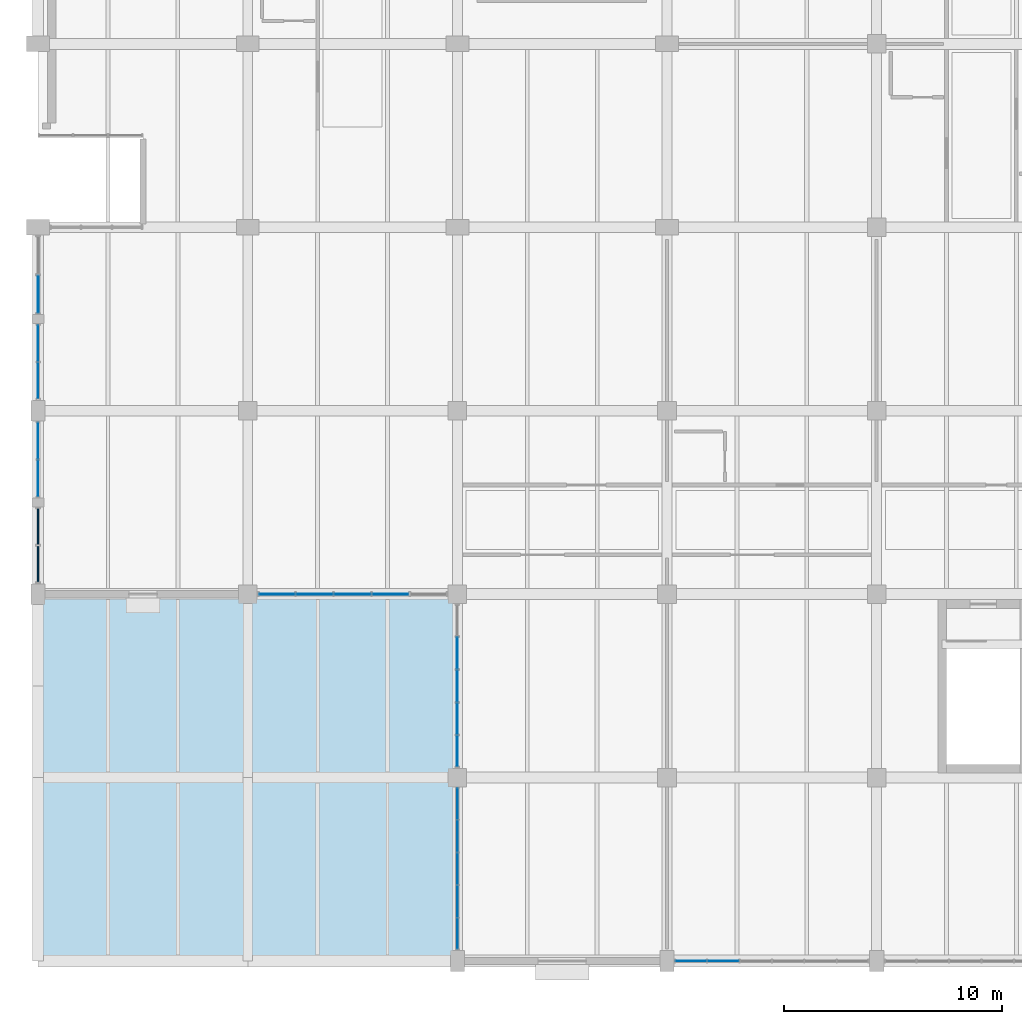
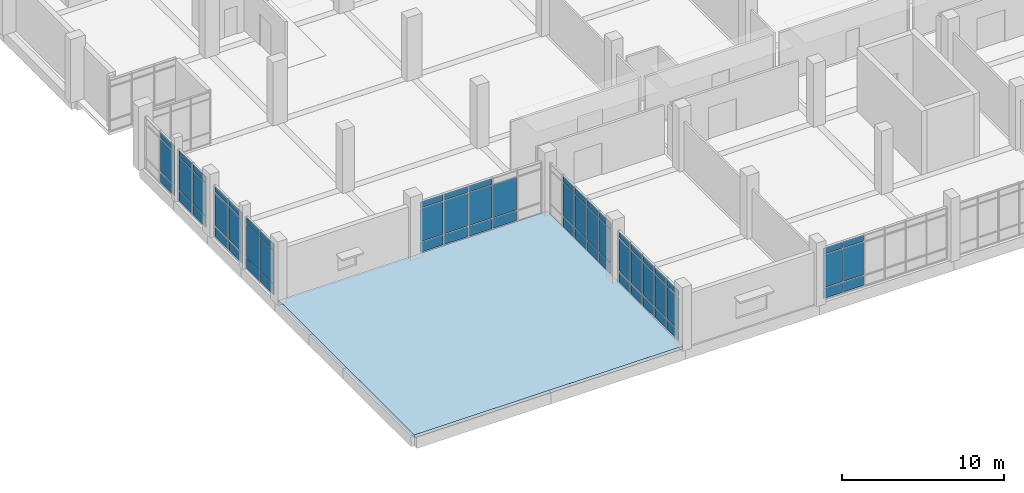
# One storey, part 85 of 152: 65 plates, 1 slab, 9 elements without a shape of their own.
"""IFC4 building model written with IfcOpenShell, lengths in metres."""

from ifc_helpers import new_model, si_unit, direction, frame, origin, origin_2d, place, context, subcontext, project, spatial, polyline, rectangle, outline, extrude, material, layer, layer_set, type_object, element, aggregate, save


model = new_model("IFC4")

# Units and contexts
model_context = context("Model", 3, precision=1e-05, world=origin(), true_north=direction((0.0, 1.0)))
body_context = subcontext(model_context, "Body", "Model", "MODEL_VIEW")
ifc_project = project(units=[si_unit("LENGTHUNIT", "METRE"), si_unit("AREAUNIT", "SQUARE_METRE"), si_unit("VOLUMEUNIT", "CUBIC_METRE"), si_unit("PLANEANGLEUNIT", "RADIAN"), si_unit("MASSUNIT", "GRAM", prefix="KILO")], contexts=[model_context])

# Site, building, storey
site_placement = place(None, origin())
site = spatial("IfcSite", under=ifc_project, at=site_placement, CompositionType="ELEMENT")
building_placement = place(site_placement, origin())
building = spatial("IfcBuilding", under=site, at=building_placement, Name="Oolite Switchyard Hospital", CompositionType="ELEMENT")
storey_placement = place(building_placement, frame((0.0, 0.0, 5.10009765625)))
storey = spatial("IfcBuildingStorey", under=building, at=storey_placement, Name="L01", CompositionType="ELEMENT", Elevation=5.10009765625)

# Curtain wall, plates
ifc_material_1 = material(Name="Thermally broken aluminum frame with laminated impact glazing", Category="aluminium")
curtain_wall_type_1 = type_object("IfcCurtainWallType", Name="CW-UNIT-84X48", PredefinedType="USERDEFINED", material=ifc_material_1)
curtain_wall_1_placement = place(storey_placement, origin())
curtain_wall_1 = element("IfcCurtainWall", 1, at=curtain_wall_1_placement, inside=storey, type_object=curtain_wall_type_1, Name="L01 Unitised Curtain Wall 160", ObjectType="UNITISED", PredefinedType="USERDEFINED")
ifc_material_2 = material(Name="Insulated fluoropolymer-coated aluminum spandrel panel", Category="aluminium")
ifc_layer_1 = layer(ifc_material_2, 0.070068359375)
ifc_layer_set_1 = layer_set([ifc_layer_1], Name="CW-PNL-SPN70")
plate_type_1 = type_object("IfcPlateType", Name="CW-PNL-SPN70", PredefinedType="CURTAIN_PANEL", material=ifc_layer_set_1)
plate_1_placement = place(storey_placement, frame((0.0, 18.1826171875, 0.06005859375), z_axis=(0.0, 0.0, 1.0), x_axis=(0.0, 1.0, 0.0)))
plate_1 = element("IfcPlate", 2, at=plate_1_placement, type_object=plate_type_1, Name="CW-07 panel 1.1", PredefinedType="CURTAIN_PANEL", context=body_context, shape_type="SweptSolid", body=[
    extrude(rectangle(XDim=1.635009765625, YDim=0.070068359375, at=origin_2d()), origin(), (0.0, 0.0, 1.0), 0.760009765625),
])
plate_2_placement = place(storey_placement, frame((0.0, 18.1826171875, 0.8798828125), z_axis=(0.0, 0.0, 1.0), x_axis=(0.0, 1.0, 0.0)))
plate_2 = element("IfcPlate", 3, at=plate_2_placement, type_object=plate_type_1, Name="CW-07 panel 1.2", PredefinedType="CURTAIN_PANEL", context=body_context, shape_type="SweptSolid", body=[
    extrude(rectangle(XDim=1.635009765625, YDim=0.070068359375, at=origin_2d()), origin(), (0.0, 0.0, 1.0), 2.47998046875),
])
plate_3_placement = place(storey_placement, frame((0.0, 18.1826171875, 3.419921875), z_axis=(0.0, 0.0, 1.0), x_axis=(0.0, 1.0, 0.0)))
plate_3 = element("IfcPlate", 4, at=plate_3_placement, type_object=plate_type_1, Name="CW-07 panel 1.3", PredefinedType="CURTAIN_PANEL", context=body_context, shape_type="SweptSolid", body=[
    extrude(rectangle(XDim=1.635009765625, YDim=0.070068359375, at=origin_2d()), origin(), (0.0, 0.0, 1.0), 0.4599609375),
])
plate_4_placement = place(storey_placement, frame((0.0, 19.892578125, 0.06005859375), z_axis=(0.0, 0.0, 1.0), x_axis=(0.0, 1.0, 0.0)))
plate_4 = element("IfcPlate", 5, at=plate_4_placement, type_object=plate_type_1, Name="CW-07 panel 2.1", PredefinedType="CURTAIN_PANEL", context=body_context, shape_type="SweptSolid", body=[
    extrude(rectangle(XDim=1.635009765625, YDim=0.070068359375, at=origin_2d()), origin(), (0.0, 0.0, 1.0), 0.760009765625),
])
plate_5_placement = place(storey_placement, frame((0.0, 19.892578125, 0.8798828125), z_axis=(0.0, 0.0, 1.0), x_axis=(0.0, 1.0, 0.0)))
plate_5 = element("IfcPlate", 6, at=plate_5_placement, type_object=plate_type_1, Name="CW-07 panel 2.2", PredefinedType="CURTAIN_PANEL", context=body_context, shape_type="SweptSolid", body=[
    extrude(rectangle(XDim=1.635009765625, YDim=0.070068359375, at=origin_2d()), origin(), (0.0, 0.0, 1.0), 2.47998046875),
])
plate_6_placement = place(storey_placement, frame((0.0, 19.892578125, 3.419921875), z_axis=(0.0, 0.0, 1.0), x_axis=(0.0, 1.0, 0.0)))
plate_6 = element("IfcPlate", 7, at=plate_6_placement, type_object=plate_type_1, Name="CW-07 panel 2.3", PredefinedType="CURTAIN_PANEL", context=body_context, shape_type="SweptSolid", body=[
    extrude(rectangle(XDim=1.635009765625, YDim=0.070068359375, at=origin_2d()), origin(), (0.0, 0.0, 1.0), 0.4599609375),
])
aggregate(curtain_wall_1, [plate_1, plate_2, plate_3, plate_4, plate_5, plate_6])

curtain_wall_type_2 = type_object("IfcCurtainWallType", Name="CW-UNIT-96X48", PredefinedType="USERDEFINED", material=ifc_material_1)
curtain_wall_2_placement = place(storey_placement, origin())
curtain_wall_2 = element("IfcCurtainWall", 8, at=curtain_wall_2_placement, inside=storey, type_object=curtain_wall_type_2, Name="L01 Unitised Curtain Wall 95", ObjectType="UNITISED", PredefinedType="USERDEFINED")
ifc_material_3 = material(Name="Laminated hurricane-impact insulated glazing unit", Category="glass")
ifc_layer_2 = layer(ifc_material_3, 0.028076171875)
ifc_layer_set_2 = layer_set([ifc_layer_2], Name="CW-PNL-VIS28")
plate_type_2 = type_object("IfcPlateType", Name="CW-PNL-VIS28", PredefinedType="CURTAIN_PANEL", material=ifc_layer_set_2)
plate_7_placement = place(storey_placement, frame((31.3701171875, 0.0, 0.07470703125), z_axis=(0.0, 0.0, 1.0), x_axis=(-1.0, 0.0, 0.0)))
plate_7 = element("IfcPlate", 9, at=plate_7_placement, type_object=plate_type_2, Name="CW-02 panel 5.1", PredefinedType="CURTAIN_PANEL", context=body_context, shape_type="SweptSolid", body=[
    extrude(rectangle(XDim=1.4267578125, YDim=0.028076171875, at=origin_2d()), origin(), (0.0, 0.0, 1.0), 0.737548828125),
])
plate_8_placement = place(storey_placement, frame((31.3701171875, 0.0, 0.88720703125), z_axis=(0.0, 0.0, 1.0), x_axis=(-1.0, 0.0, 0.0)))
plate_8 = element("IfcPlate", 10, at=plate_8_placement, type_object=plate_type_2, Name="CW-02 panel 5.2", PredefinedType="CURTAIN_PANEL", context=body_context, shape_type="SweptSolid", body=[
    extrude(rectangle(XDim=1.4267578125, YDim=0.028076171875, at=origin_2d()), origin(), (0.0, 0.0, 1.0), 2.465087890625),
])
plate_9_placement = place(storey_placement, frame((31.3701171875, 0.0, 3.427490234375), z_axis=(0.0, 0.0, 1.0), x_axis=(-1.0, 0.0, 0.0)))
plate_9 = element("IfcPlate", 11, at=plate_9_placement, type_object=plate_type_2, Name="CW-02 panel 5.3", PredefinedType="CURTAIN_PANEL", context=body_context, shape_type="SweptSolid", body=[
    extrude(rectangle(XDim=1.4267578125, YDim=0.028076171875, at=origin_2d()), origin(), (0.0, 0.0, 1.0), 0.4375),
])
plate_10_placement = place(storey_placement, frame((29.8984375, 0.0, 0.07470703125), z_axis=(0.0, 0.0, 1.0), x_axis=(-1.0, 0.0, 0.0)))
plate_10 = element("IfcPlate", 12, at=plate_10_placement, type_object=plate_type_2, Name="CW-02 panel 6.1", PredefinedType="CURTAIN_PANEL", context=body_context, shape_type="SweptSolid", body=[
    extrude(rectangle(XDim=1.396728515625, YDim=0.028076171875, at=origin_2d()), origin(), (0.0, 0.0, 1.0), 0.737548828125),
])
plate_11_placement = place(storey_placement, frame((29.8984375, 0.0, 0.88720703125), z_axis=(0.0, 0.0, 1.0), x_axis=(-1.0, 0.0, 0.0)))
plate_11 = element("IfcPlate", 13, at=plate_11_placement, type_object=plate_type_2, Name="CW-02 panel 6.2", PredefinedType="CURTAIN_PANEL", context=body_context, shape_type="SweptSolid", body=[
    extrude(rectangle(XDim=1.396728515625, YDim=0.028076171875, at=origin_2d()), origin(), (0.0, 0.0, 1.0), 2.465087890625),
])
plate_12_placement = place(storey_placement, frame((29.8984375, 0.0, 3.427490234375), z_axis=(0.0, 0.0, 1.0), x_axis=(-1.0, 0.0, 0.0)))
plate_12 = element("IfcPlate", 14, at=plate_12_placement, type_object=plate_type_2, Name="CW-02 panel 6.3", PredefinedType="CURTAIN_PANEL", context=body_context, shape_type="SweptSolid", body=[
    extrude(rectangle(XDim=1.396728515625, YDim=0.028076171875, at=origin_2d()), origin(), (0.0, 0.0, 1.0), 0.4375),
])
aggregate(curtain_wall_2, [plate_7, plate_8, plate_9, plate_10, plate_11, plate_12])

curtain_wall_3_placement = place(storey_placement, origin())
curtain_wall_3 = element("IfcCurtainWall", 15, at=curtain_wall_3_placement, inside=storey, type_object=curtain_wall_type_1, Name="L01 Unitised Curtain Wall 161", ObjectType="UNITISED", PredefinedType="USERDEFINED")
plate_13_placement = place(storey_placement, frame((0.0, 22.103759765625, 0.07470703125), z_axis=(0.0, 0.0, 1.0), x_axis=(0.0, 1.0, 0.0)))
plate_13 = element("IfcPlate", 16, at=plate_13_placement, type_object=plate_type_2, Name="CW-07 panel 1.1", PredefinedType="CURTAIN_PANEL", context=body_context, shape_type="SweptSolid", body=[
    extrude(rectangle(XDim=1.657470703125, YDim=0.028076171875, at=origin_2d()), origin(), (0.0, 0.0, 1.0), 0.737548828125),
])
plate_14_placement = place(storey_placement, frame((0.0, 22.103759765625, 0.88720703125), z_axis=(0.0, 0.0, 1.0), x_axis=(0.0, 1.0, 0.0)))
plate_14 = element("IfcPlate", 17, at=plate_14_placement, type_object=plate_type_2, Name="CW-07 panel 1.2", PredefinedType="CURTAIN_PANEL", context=body_context, shape_type="SweptSolid", body=[
    extrude(rectangle(XDim=1.657470703125, YDim=0.028076171875, at=origin_2d()), origin(), (0.0, 0.0, 1.0), 2.465087890625),
])
plate_15_placement = place(storey_placement, frame((0.0, 22.103759765625, 3.427490234375), z_axis=(0.0, 0.0, 1.0), x_axis=(0.0, 1.0, 0.0)))
plate_15 = element("IfcPlate", 18, at=plate_15_placement, type_object=plate_type_2, Name="CW-07 panel 1.3", PredefinedType="CURTAIN_PANEL", context=body_context, shape_type="SweptSolid", body=[
    extrude(rectangle(XDim=1.657470703125, YDim=0.028076171875, at=origin_2d()), origin(), (0.0, 0.0, 1.0), 0.4375),
])
plate_16_placement = place(storey_placement, frame((0.0, 23.8212890625, 0.07470703125), z_axis=(0.0, 0.0, 1.0), x_axis=(0.0, 1.0, 0.0)))
plate_16 = element("IfcPlate", 19, at=plate_16_placement, type_object=plate_type_2, Name="CW-07 panel 2.1", PredefinedType="CURTAIN_PANEL", context=body_context, shape_type="SweptSolid", body=[
    extrude(rectangle(XDim=1.657470703125, YDim=0.028076171875, at=origin_2d()), origin(), (0.0, 0.0, 1.0), 0.737548828125),
])
plate_17_placement = place(storey_placement, frame((0.0, 23.8212890625, 0.88720703125), z_axis=(0.0, 0.0, 1.0), x_axis=(0.0, 1.0, 0.0)))
plate_17 = element("IfcPlate", 20, at=plate_17_placement, type_object=plate_type_2, Name="CW-07 panel 2.2", PredefinedType="CURTAIN_PANEL", context=body_context, shape_type="SweptSolid", body=[
    extrude(rectangle(XDim=1.657470703125, YDim=0.028076171875, at=origin_2d()), origin(), (0.0, 0.0, 1.0), 2.465087890625),
])
plate_18_placement = place(storey_placement, frame((0.0, 23.8212890625, 3.427490234375), z_axis=(0.0, 0.0, 1.0), x_axis=(0.0, 1.0, 0.0)))
plate_18 = element("IfcPlate", 21, at=plate_18_placement, type_object=plate_type_2, Name="CW-07 panel 2.3", PredefinedType="CURTAIN_PANEL", context=body_context, shape_type="SweptSolid", body=[
    extrude(rectangle(XDim=1.657470703125, YDim=0.028076171875, at=origin_2d()), origin(), (0.0, 0.0, 1.0), 0.4375),
])
aggregate(curtain_wall_3, [plate_13, plate_14, plate_15, plate_16, plate_17, plate_18])

curtain_wall_4_placement = place(storey_placement, origin())
curtain_wall_4 = element("IfcCurtainWall", 22, at=curtain_wall_4_placement, inside=storey, type_object=curtain_wall_type_1, Name="L01 Unitised Curtain Wall 167", ObjectType="UNITISED", PredefinedType="USERDEFINED")
plate_19_placement = place(storey_placement, frame((19.199951171875, 1.251953125, 0.07470703125), z_axis=(0.0, 0.0, 1.0), x_axis=(0.0, 1.0, 0.0)))
plate_19 = element("IfcPlate", 23, at=plate_19_placement, type_object=plate_type_2, Name="CW-07 panel 1.1", PredefinedType="CURTAIN_PANEL", context=body_context, shape_type="SweptSolid", body=[
    extrude(rectangle(XDim=1.404052734375, YDim=0.028076171875, at=origin_2d()), origin(), (0.0, 0.0, 1.0), 0.737548828125),
])
plate_20_placement = place(storey_placement, frame((19.199951171875, 1.251953125, 0.88720703125), z_axis=(0.0, 0.0, 1.0), x_axis=(0.0, 1.0, 0.0)))
plate_20 = element("IfcPlate", 24, at=plate_20_placement, type_object=plate_type_2, Name="CW-07 panel 1.2", PredefinedType="CURTAIN_PANEL", context=body_context, shape_type="SweptSolid", body=[
    extrude(rectangle(XDim=1.404052734375, YDim=0.028076171875, at=origin_2d()), origin(), (0.0, 0.0, 1.0), 2.465087890625),
])
plate_21_placement = place(storey_placement, frame((19.199951171875, 1.251953125, 3.427490234375), z_axis=(0.0, 0.0, 1.0), x_axis=(0.0, 1.0, 0.0)))
plate_21 = element("IfcPlate", 25, at=plate_21_placement, type_object=plate_type_2, Name="CW-07 panel 1.3", PredefinedType="CURTAIN_PANEL", context=body_context, shape_type="SweptSolid", body=[
    extrude(rectangle(XDim=1.404052734375, YDim=0.028076171875, at=origin_2d()), origin(), (0.0, 0.0, 1.0), 0.4375),
])
plate_22_placement = place(storey_placement, frame((19.199951171875, 2.73095703125, 0.07470703125), z_axis=(0.0, 0.0, 1.0), x_axis=(0.0, 1.0, 0.0)))
plate_22 = element("IfcPlate", 26, at=plate_22_placement, type_object=plate_type_2, Name="CW-07 panel 2.1", PredefinedType="CURTAIN_PANEL", context=body_context, shape_type="SweptSolid", body=[
    extrude(rectangle(XDim=1.43408203125, YDim=0.028076171875, at=origin_2d()), origin(), (0.0, 0.0, 1.0), 0.737548828125),
])
plate_23_placement = place(storey_placement, frame((19.199951171875, 2.73095703125, 0.88720703125), z_axis=(0.0, 0.0, 1.0), x_axis=(0.0, 1.0, 0.0)))
plate_23 = element("IfcPlate", 27, at=plate_23_placement, type_object=plate_type_2, Name="CW-07 panel 2.2", PredefinedType="CURTAIN_PANEL", context=body_context, shape_type="SweptSolid", body=[
    extrude(rectangle(XDim=1.43408203125, YDim=0.028076171875, at=origin_2d()), origin(), (0.0, 0.0, 1.0), 2.465087890625),
])
plate_24_placement = place(storey_placement, frame((19.199951171875, 2.73095703125, 3.427490234375), z_axis=(0.0, 0.0, 1.0), x_axis=(0.0, 1.0, 0.0)))
plate_24 = element("IfcPlate", 28, at=plate_24_placement, type_object=plate_type_2, Name="CW-07 panel 2.3", PredefinedType="CURTAIN_PANEL", context=body_context, shape_type="SweptSolid", body=[
    extrude(rectangle(XDim=1.43408203125, YDim=0.028076171875, at=origin_2d()), origin(), (0.0, 0.0, 1.0), 0.4375),
])
plate_25_placement = place(storey_placement, frame((19.199951171875, 4.22509765625, 0.07470703125), z_axis=(0.0, 0.0, 1.0), x_axis=(0.0, 1.0, 0.0)))
plate_25 = element("IfcPlate", 29, at=plate_25_placement, type_object=plate_type_2, Name="CW-07 panel 3.1", PredefinedType="CURTAIN_PANEL", context=body_context, shape_type="SweptSolid", body=[
    extrude(rectangle(XDim=1.43408203125, YDim=0.028076171875, at=origin_2d()), origin(), (0.0, 0.0, 1.0), 0.737548828125),
])
plate_26_placement = place(storey_placement, frame((19.199951171875, 4.22509765625, 0.88720703125), z_axis=(0.0, 0.0, 1.0), x_axis=(0.0, 1.0, 0.0)))
plate_26 = element("IfcPlate", 30, at=plate_26_placement, type_object=plate_type_2, Name="CW-07 panel 3.2", PredefinedType="CURTAIN_PANEL", context=body_context, shape_type="SweptSolid", body=[
    extrude(rectangle(XDim=1.43408203125, YDim=0.028076171875, at=origin_2d()), origin(), (0.0, 0.0, 1.0), 2.465087890625),
])
plate_27_placement = place(storey_placement, frame((19.199951171875, 4.22509765625, 3.427490234375), z_axis=(0.0, 0.0, 1.0), x_axis=(0.0, 1.0, 0.0)))
plate_27 = element("IfcPlate", 31, at=plate_27_placement, type_object=plate_type_2, Name="CW-07 panel 3.3", PredefinedType="CURTAIN_PANEL", context=body_context, shape_type="SweptSolid", body=[
    extrude(rectangle(XDim=1.43408203125, YDim=0.028076171875, at=origin_2d()), origin(), (0.0, 0.0, 1.0), 0.4375),
])
plate_28_placement = place(storey_placement, frame((19.199951171875, 5.718994140625, 0.07470703125), z_axis=(0.0, 0.0, 1.0), x_axis=(0.0, 1.0, 0.0)))
plate_28 = element("IfcPlate", 32, at=plate_28_placement, type_object=plate_type_2, Name="CW-07 panel 4.1", PredefinedType="CURTAIN_PANEL", context=body_context, shape_type="SweptSolid", body=[
    extrude(rectangle(XDim=1.43408203125, YDim=0.028076171875, at=origin_2d()), origin(), (0.0, 0.0, 1.0), 0.737548828125),
])
plate_29_placement = place(storey_placement, frame((19.199951171875, 5.718994140625, 0.88720703125), z_axis=(0.0, 0.0, 1.0), x_axis=(0.0, 1.0, 0.0)))
plate_29 = element("IfcPlate", 33, at=plate_29_placement, type_object=plate_type_2, Name="CW-07 panel 4.2", PredefinedType="CURTAIN_PANEL", context=body_context, shape_type="SweptSolid", body=[
    extrude(rectangle(XDim=1.43408203125, YDim=0.028076171875, at=origin_2d()), origin(), (0.0, 0.0, 1.0), 2.465087890625),
])
plate_30_placement = place(storey_placement, frame((19.199951171875, 5.718994140625, 3.427490234375), z_axis=(0.0, 0.0, 1.0), x_axis=(0.0, 1.0, 0.0)))
plate_30 = element("IfcPlate", 34, at=plate_30_placement, type_object=plate_type_2, Name="CW-07 panel 4.3", PredefinedType="CURTAIN_PANEL", context=body_context, shape_type="SweptSolid", body=[
    extrude(rectangle(XDim=1.43408203125, YDim=0.028076171875, at=origin_2d()), origin(), (0.0, 0.0, 1.0), 0.4375),
])
plate_31_placement = place(storey_placement, frame((19.199951171875, 7.197998046875, 0.07470703125), z_axis=(0.0, 0.0, 1.0), x_axis=(0.0, 1.0, 0.0)))
plate_31 = element("IfcPlate", 35, at=plate_31_placement, type_object=plate_type_2, Name="CW-07 panel 5.1", PredefinedType="CURTAIN_PANEL", context=body_context, shape_type="SweptSolid", body=[
    extrude(rectangle(XDim=1.404052734375, YDim=0.028076171875, at=origin_2d()), origin(), (0.0, 0.0, 1.0), 0.737548828125),
])
plate_32_placement = place(storey_placement, frame((19.199951171875, 7.197998046875, 0.88720703125), z_axis=(0.0, 0.0, 1.0), x_axis=(0.0, 1.0, 0.0)))
plate_32 = element("IfcPlate", 36, at=plate_32_placement, type_object=plate_type_2, Name="CW-07 panel 5.2", PredefinedType="CURTAIN_PANEL", context=body_context, shape_type="SweptSolid", body=[
    extrude(rectangle(XDim=1.404052734375, YDim=0.028076171875, at=origin_2d()), origin(), (0.0, 0.0, 1.0), 2.465087890625),
])
plate_33_placement = place(storey_placement, frame((19.199951171875, 7.197998046875, 3.427490234375), z_axis=(0.0, 0.0, 1.0), x_axis=(0.0, 1.0, 0.0)))
plate_33 = element("IfcPlate", 37, at=plate_33_placement, type_object=plate_type_2, Name="CW-07 panel 5.3", PredefinedType="CURTAIN_PANEL", context=body_context, shape_type="SweptSolid", body=[
    extrude(rectangle(XDim=1.404052734375, YDim=0.028076171875, at=origin_2d()), origin(), (0.0, 0.0, 1.0), 0.4375),
])
aggregate(curtain_wall_4, [plate_19, plate_20, plate_21, plate_22, plate_23, plate_24, plate_25, plate_26, plate_27, plate_28, plate_29, plate_30, plate_31, plate_32, plate_33])

curtain_wall_5_placement = place(storey_placement, origin())
curtain_wall_5 = element("IfcCurtainWall", 38, at=curtain_wall_5_placement, inside=storey, type_object=curtain_wall_type_1, Name="L01 Unitised Curtain Wall 162", ObjectType="UNITISED", PredefinedType="USERDEFINED")
ifc_layer_3 = layer(ifc_material_3, 0.031982421875)
ifc_layer_set_3 = layer_set([ifc_layer_3], Name="CW-PNL-VIS32")
plate_type_3 = type_object("IfcPlateType", Name="CW-PNL-VIS32", PredefinedType="CURTAIN_PANEL", material=ifc_layer_set_3)
plate_34_placement = place(storey_placement, frame((0.0, 26.581298828125, 0.06005859375), z_axis=(0.0, 0.0, 1.0), x_axis=(0.0, 1.0, 0.0)))
plate_34 = element("IfcPlate", 39, at=plate_34_placement, type_object=plate_type_3, Name="CW-07 panel 1.1", PredefinedType="CURTAIN_PANEL", context=body_context, shape_type="SweptSolid", body=[
    extrude(rectangle(XDim=1.642578125, YDim=0.031982421875, at=origin_2d()), origin(), (0.0, 0.0, 1.0), 0.760009765625),
])
plate_35_placement = place(storey_placement, frame((0.0, 26.581298828125, 0.8798828125), z_axis=(0.0, 0.0, 1.0), x_axis=(0.0, 1.0, 0.0)))
plate_35 = element("IfcPlate", 40, at=plate_35_placement, type_object=plate_type_3, Name="CW-07 panel 1.2", PredefinedType="CURTAIN_PANEL", context=body_context, shape_type="SweptSolid", body=[
    extrude(rectangle(XDim=1.642578125, YDim=0.031982421875, at=origin_2d()), origin(), (0.0, 0.0, 1.0), 2.47998046875),
])
plate_36_placement = place(storey_placement, frame((0.0, 26.581298828125, 3.419921875), z_axis=(0.0, 0.0, 1.0), x_axis=(0.0, 1.0, 0.0)))
plate_36 = element("IfcPlate", 41, at=plate_36_placement, type_object=plate_type_3, Name="CW-07 panel 1.3", PredefinedType="CURTAIN_PANEL", context=body_context, shape_type="SweptSolid", body=[
    extrude(rectangle(XDim=1.642578125, YDim=0.031982421875, at=origin_2d()), origin(), (0.0, 0.0, 1.0), 0.4599609375),
])
plate_37_placement = place(storey_placement, frame((0.0, 28.293701171875, 0.06005859375), z_axis=(0.0, 0.0, 1.0), x_axis=(0.0, 1.0, 0.0)))
plate_37 = element("IfcPlate", 42, at=plate_37_placement, type_object=plate_type_3, Name="CW-07 panel 2.1", PredefinedType="CURTAIN_PANEL", context=body_context, shape_type="SweptSolid", body=[
    extrude(rectangle(XDim=1.642578125, YDim=0.031982421875, at=origin_2d()), origin(), (0.0, 0.0, 1.0), 0.760009765625),
])
plate_38_placement = place(storey_placement, frame((0.0, 28.293701171875, 0.8798828125), z_axis=(0.0, 0.0, 1.0), x_axis=(0.0, 1.0, 0.0)))
plate_38 = element("IfcPlate", 43, at=plate_38_placement, type_object=plate_type_3, Name="CW-07 panel 2.2", PredefinedType="CURTAIN_PANEL", context=body_context, shape_type="SweptSolid", body=[
    extrude(rectangle(XDim=1.642578125, YDim=0.031982421875, at=origin_2d()), origin(), (0.0, 0.0, 1.0), 2.47998046875),
])
plate_39_placement = place(storey_placement, frame((0.0, 28.293701171875, 3.419921875), z_axis=(0.0, 0.0, 1.0), x_axis=(0.0, 1.0, 0.0)))
plate_39 = element("IfcPlate", 44, at=plate_39_placement, type_object=plate_type_3, Name="CW-07 panel 2.3", PredefinedType="CURTAIN_PANEL", context=body_context, shape_type="SweptSolid", body=[
    extrude(rectangle(XDim=1.642578125, YDim=0.031982421875, at=origin_2d()), origin(), (0.0, 0.0, 1.0), 0.4599609375),
])
aggregate(curtain_wall_5, [plate_34, plate_35, plate_36, plate_37, plate_38, plate_39])

curtain_wall_6_placement = place(storey_placement, origin())
curtain_wall_6 = element("IfcCurtainWall", 45, at=curtain_wall_6_placement, inside=storey, type_object=curtain_wall_type_2, Name="L01 Unitised Curtain Wall 103", ObjectType="UNITISED", PredefinedType="USERDEFINED")
ifc_layer_4 = layer(ifc_material_3, 0.035888671875)
ifc_layer_set_4 = layer_set([ifc_layer_4], Name="CW-PNL-VIS36")
plate_type_4 = type_object("IfcPlateType", Name="CW-PNL-VIS36", PredefinedType="CURTAIN_PANEL", material=ifc_layer_set_4)
plate_40_placement = place(storey_placement, frame((16.14404296875, 16.800048828125, 0.07470703125), z_axis=(0.0, 0.0, 1.0), x_axis=(-1.0, 0.0, 0.0)))
plate_40 = element("IfcPlate", 46, at=plate_40_placement, type_object=plate_type_4, Name="CW-02 panel 2.1", PredefinedType="CURTAIN_PANEL", context=body_context, shape_type="SweptSolid", body=[
    extrude(rectangle(XDim=1.6689453125, YDim=0.035888671875, at=origin_2d()), origin(), (0.0, 0.0, 1.0), 0.737548828125),
])
plate_41_placement = place(storey_placement, frame((16.14404296875, 16.800048828125, 0.88720703125), z_axis=(0.0, 0.0, 1.0), x_axis=(-1.0, 0.0, 0.0)))
plate_41 = element("IfcPlate", 47, at=plate_41_placement, type_object=plate_type_4, Name="CW-02 panel 2.2", PredefinedType="CURTAIN_PANEL", context=body_context, shape_type="SweptSolid", body=[
    extrude(rectangle(XDim=1.6689453125, YDim=0.035888671875, at=origin_2d()), origin(), (0.0, 0.0, 1.0), 2.465087890625),
])
plate_42_placement = place(storey_placement, frame((14.39990234375, 16.800048828125, 0.07470703125), z_axis=(0.0, 0.0, 1.0), x_axis=(-1.0, 0.0, 0.0)))
plate_42 = element("IfcPlate", 48, at=plate_42_placement, type_object=plate_type_4, Name="CW-02 panel 3.1", PredefinedType="CURTAIN_PANEL", context=body_context, shape_type="SweptSolid", body=[
    extrude(rectangle(XDim=1.6689453125, YDim=0.035888671875, at=origin_2d()), origin(), (0.0, 0.0, 1.0), 0.737548828125),
])
plate_43_placement = place(storey_placement, frame((14.39990234375, 16.800048828125, 0.88720703125), z_axis=(0.0, 0.0, 1.0), x_axis=(-1.0, 0.0, 0.0)))
plate_43 = element("IfcPlate", 49, at=plate_43_placement, type_object=plate_type_4, Name="CW-02 panel 3.2", PredefinedType="CURTAIN_PANEL", context=body_context, shape_type="SweptSolid", body=[
    extrude(rectangle(XDim=1.6689453125, YDim=0.035888671875, at=origin_2d()), origin(), (0.0, 0.0, 1.0), 2.465087890625),
])
plate_44_placement = place(storey_placement, frame((14.39990234375, 16.800048828125, 3.427490234375), z_axis=(0.0, 0.0, 1.0), x_axis=(-1.0, 0.0, 0.0)))
plate_44 = element("IfcPlate", 50, at=plate_44_placement, type_object=plate_type_4, Name="CW-02 panel 3.3", PredefinedType="CURTAIN_PANEL", context=body_context, shape_type="SweptSolid", body=[
    extrude(rectangle(XDim=1.6689453125, YDim=0.035888671875, at=origin_2d()), origin(), (0.0, 0.0, 1.0), 0.4375),
])
plate_45_placement = place(storey_placement, frame((12.656005859375, 16.800048828125, 0.07470703125), z_axis=(0.0, 0.0, 1.0), x_axis=(-1.0, 0.0, 0.0)))
plate_45 = element("IfcPlate", 51, at=plate_45_placement, type_object=plate_type_4, Name="CW-02 panel 4.1", PredefinedType="CURTAIN_PANEL", context=body_context, shape_type="SweptSolid", body=[
    extrude(rectangle(XDim=1.6689453125, YDim=0.035888671875, at=origin_2d()), origin(), (0.0, 0.0, 1.0), 0.737548828125),
])
plate_46_placement = place(storey_placement, frame((12.656005859375, 16.800048828125, 0.88720703125), z_axis=(0.0, 0.0, 1.0), x_axis=(-1.0, 0.0, 0.0)))
plate_46 = element("IfcPlate", 52, at=plate_46_placement, type_object=plate_type_4, Name="CW-02 panel 4.2", PredefinedType="CURTAIN_PANEL", context=body_context, shape_type="SweptSolid", body=[
    extrude(rectangle(XDim=1.6689453125, YDim=0.035888671875, at=origin_2d()), origin(), (0.0, 0.0, 1.0), 2.465087890625),
])
plate_47_placement = place(storey_placement, frame((12.656005859375, 16.800048828125, 3.427490234375), z_axis=(0.0, 0.0, 1.0), x_axis=(-1.0, 0.0, 0.0)))
plate_47 = element("IfcPlate", 53, at=plate_47_placement, type_object=plate_type_4, Name="CW-02 panel 4.3", PredefinedType="CURTAIN_PANEL", context=body_context, shape_type="SweptSolid", body=[
    extrude(rectangle(XDim=1.6689453125, YDim=0.035888671875, at=origin_2d()), origin(), (0.0, 0.0, 1.0), 0.4375),
])
plate_48_placement = place(storey_placement, frame((10.9306640625, 16.800048828125, 0.07470703125), z_axis=(0.0, 0.0, 1.0), x_axis=(-1.0, 0.0, 0.0)))
plate_48 = element("IfcPlate", 54, at=plate_48_placement, type_object=plate_type_4, Name="CW-02 panel 5.1", PredefinedType="CURTAIN_PANEL", context=body_context, shape_type="SweptSolid", body=[
    extrude(rectangle(XDim=1.631591796875, YDim=0.035888671875, at=origin_2d()), origin(), (0.0, 0.0, 1.0), 0.737548828125),
])
plate_49_placement = place(storey_placement, frame((10.9306640625, 16.800048828125, 0.88720703125), z_axis=(0.0, 0.0, 1.0), x_axis=(-1.0, 0.0, 0.0)))
plate_49 = element("IfcPlate", 55, at=plate_49_placement, type_object=plate_type_4, Name="CW-02 panel 5.2", PredefinedType="CURTAIN_PANEL", context=body_context, shape_type="SweptSolid", body=[
    extrude(rectangle(XDim=1.631591796875, YDim=0.035888671875, at=origin_2d()), origin(), (0.0, 0.0, 1.0), 2.465087890625),
])
plate_50_placement = place(storey_placement, frame((10.9306640625, 16.800048828125, 3.427490234375), z_axis=(0.0, 0.0, 1.0), x_axis=(-1.0, 0.0, 0.0)))
plate_50 = element("IfcPlate", 56, at=plate_50_placement, type_object=plate_type_4, Name="CW-02 panel 5.3", PredefinedType="CURTAIN_PANEL", context=body_context, shape_type="SweptSolid", body=[
    extrude(rectangle(XDim=1.631591796875, YDim=0.035888671875, at=origin_2d()), origin(), (0.0, 0.0, 1.0), 0.4375),
])
aggregate(curtain_wall_6, [plate_40, plate_41, plate_42, plate_43, plate_44, plate_45, plate_46, plate_47, plate_48, plate_49, plate_50])

curtain_wall_7_placement = place(storey_placement, origin())
curtain_wall_7 = element("IfcCurtainWall", 57, at=curtain_wall_7_placement, inside=storey, type_object=curtain_wall_type_1, Name="L01 Unitised Curtain Wall 163", ObjectType="UNITISED", PredefinedType="USERDEFINED")
plate_51_placement = place(storey_placement, frame((0.0, 30.538818359375, 0.07470703125), z_axis=(0.0, 0.0, 1.0), x_axis=(0.0, 1.0, 0.0)))
plate_51 = element("IfcPlate", 58, at=plate_51_placement, type_object=plate_type_4, Name="CW-07 panel 1.1", PredefinedType="CURTAIN_PANEL", context=body_context, shape_type="SweptSolid", body=[
    extrude(rectangle(XDim=1.697509765625, YDim=0.035888671875, at=origin_2d()), origin(), (0.0, 0.0, 1.0), 0.737548828125),
])
plate_52_placement = place(storey_placement, frame((0.0, 30.538818359375, 0.88720703125), z_axis=(0.0, 0.0, 1.0), x_axis=(0.0, 1.0, 0.0)))
plate_52 = element("IfcPlate", 59, at=plate_52_placement, type_object=plate_type_4, Name="CW-07 panel 1.2", PredefinedType="CURTAIN_PANEL", context=body_context, shape_type="SweptSolid", body=[
    extrude(rectangle(XDim=1.697509765625, YDim=0.035888671875, at=origin_2d()), origin(), (0.0, 0.0, 1.0), 2.465087890625),
])
plate_53_placement = place(storey_placement, frame((0.0, 30.538818359375, 3.427490234375), z_axis=(0.0, 0.0, 1.0), x_axis=(0.0, 1.0, 0.0)))
plate_53 = element("IfcPlate", 60, at=plate_53_placement, type_object=plate_type_4, Name="CW-07 panel 1.3", PredefinedType="CURTAIN_PANEL", context=body_context, shape_type="SweptSolid", body=[
    extrude(rectangle(XDim=1.697509765625, YDim=0.035888671875, at=origin_2d()), origin(), (0.0, 0.0, 1.0), 0.4375),
])
aggregate(curtain_wall_7, [plate_51, plate_52, plate_53])

curtain_wall_8_placement = place(storey_placement, origin())
curtain_wall_8 = element("IfcCurtainWall", 61, at=curtain_wall_8_placement, inside=storey, type_object=curtain_wall_type_1, Name="L01 Unitised Curtain Wall 168", ObjectType="UNITISED", PredefinedType="USERDEFINED")
plate_54_placement = place(storey_placement, frame((19.199951171875, 9.609619140625, 0.06005859375), z_axis=(0.0, 0.0, 1.0), x_axis=(0.0, 1.0, 0.0)))
plate_54 = element("IfcPlate", 62, at=plate_54_placement, type_object=plate_type_4, Name="CW-07 panel 1.1", PredefinedType="CURTAIN_PANEL", context=body_context, shape_type="SweptSolid", body=[
    extrude(rectangle(XDim=1.39892578125, YDim=0.035888671875, at=origin_2d()), origin(), (0.0, 0.0, 1.0), 0.760009765625),
])
plate_55_placement = place(storey_placement, frame((19.199951171875, 9.609619140625, 0.8798828125), z_axis=(0.0, 0.0, 1.0), x_axis=(0.0, 1.0, 0.0)))
plate_55 = element("IfcPlate", 63, at=plate_55_placement, type_object=plate_type_4, Name="CW-07 panel 1.2", PredefinedType="CURTAIN_PANEL", context=body_context, shape_type="SweptSolid", body=[
    extrude(rectangle(XDim=1.39892578125, YDim=0.035888671875, at=origin_2d()), origin(), (0.0, 0.0, 1.0), 2.47998046875),
])
plate_56_placement = place(storey_placement, frame((19.199951171875, 9.609619140625, 3.419921875), z_axis=(0.0, 0.0, 1.0), x_axis=(0.0, 1.0, 0.0)))
plate_56 = element("IfcPlate", 64, at=plate_56_placement, type_object=plate_type_4, Name="CW-07 panel 1.3", PredefinedType="CURTAIN_PANEL", context=body_context, shape_type="SweptSolid", body=[
    extrude(rectangle(XDim=1.39892578125, YDim=0.035888671875, at=origin_2d()), origin(), (0.0, 0.0, 1.0), 0.4599609375),
])
plate_57_placement = place(storey_placement, frame((19.199951171875, 11.095947265625, 0.06005859375), z_axis=(0.0, 0.0, 1.0), x_axis=(0.0, 1.0, 0.0)))
plate_57 = element("IfcPlate", 65, at=plate_57_placement, type_object=plate_type_4, Name="CW-07 panel 2.1", PredefinedType="CURTAIN_PANEL", context=body_context, shape_type="SweptSolid", body=[
    extrude(rectangle(XDim=1.43408203125, YDim=0.035888671875, at=origin_2d()), origin(), (0.0, 0.0, 1.0), 0.760009765625),
])
plate_58_placement = place(storey_placement, frame((19.199951171875, 11.095947265625, 0.8798828125), z_axis=(0.0, 0.0, 1.0), x_axis=(0.0, 1.0, 0.0)))
plate_58 = element("IfcPlate", 66, at=plate_58_placement, type_object=plate_type_4, Name="CW-07 panel 2.2", PredefinedType="CURTAIN_PANEL", context=body_context, shape_type="SweptSolid", body=[
    extrude(rectangle(XDim=1.43408203125, YDim=0.035888671875, at=origin_2d()), origin(), (0.0, 0.0, 1.0), 2.47998046875),
])
plate_59_placement = place(storey_placement, frame((19.199951171875, 11.095947265625, 3.419921875), z_axis=(0.0, 0.0, 1.0), x_axis=(0.0, 1.0, 0.0)))
plate_59 = element("IfcPlate", 67, at=plate_59_placement, type_object=plate_type_4, Name="CW-07 panel 2.3", PredefinedType="CURTAIN_PANEL", context=body_context, shape_type="SweptSolid", body=[
    extrude(rectangle(XDim=1.43408203125, YDim=0.035888671875, at=origin_2d()), origin(), (0.0, 0.0, 1.0), 0.4599609375),
])
plate_60_placement = place(storey_placement, frame((19.199951171875, 12.60009765625, 0.06005859375), z_axis=(0.0, 0.0, 1.0), x_axis=(0.0, 1.0, 0.0)))
plate_60 = element("IfcPlate", 68, at=plate_60_placement, type_object=plate_type_4, Name="CW-07 panel 3.1", PredefinedType="CURTAIN_PANEL", context=body_context, shape_type="SweptSolid", body=[
    extrude(rectangle(XDim=1.43408203125, YDim=0.035888671875, at=origin_2d()), origin(), (0.0, 0.0, 1.0), 0.760009765625),
])
plate_61_placement = place(storey_placement, frame((19.199951171875, 12.60009765625, 0.8798828125), z_axis=(0.0, 0.0, 1.0), x_axis=(0.0, 1.0, 0.0)))
plate_61 = element("IfcPlate", 69, at=plate_61_placement, type_object=plate_type_4, Name="CW-07 panel 3.2", PredefinedType="CURTAIN_PANEL", context=body_context, shape_type="SweptSolid", body=[
    extrude(rectangle(XDim=1.43408203125, YDim=0.035888671875, at=origin_2d()), origin(), (0.0, 0.0, 1.0), 2.47998046875),
])
plate_62_placement = place(storey_placement, frame((19.199951171875, 12.60009765625, 3.419921875), z_axis=(0.0, 0.0, 1.0), x_axis=(0.0, 1.0, 0.0)))
plate_62 = element("IfcPlate", 70, at=plate_62_placement, type_object=plate_type_4, Name="CW-07 panel 3.3", PredefinedType="CURTAIN_PANEL", context=body_context, shape_type="SweptSolid", body=[
    extrude(rectangle(XDim=1.43408203125, YDim=0.035888671875, at=origin_2d()), origin(), (0.0, 0.0, 1.0), 0.4599609375),
])
plate_63_placement = place(storey_placement, frame((19.199951171875, 14.10400390625, 0.06005859375), z_axis=(0.0, 0.0, 1.0), x_axis=(0.0, 1.0, 0.0)))
plate_63 = element("IfcPlate", 71, at=plate_63_placement, type_object=plate_type_4, Name="CW-07 panel 4.1", PredefinedType="CURTAIN_PANEL", context=body_context, shape_type="SweptSolid", body=[
    extrude(rectangle(XDim=1.43408203125, YDim=0.035888671875, at=origin_2d()), origin(), (0.0, 0.0, 1.0), 0.760009765625),
])
plate_64_placement = place(storey_placement, frame((19.199951171875, 14.10400390625, 0.8798828125), z_axis=(0.0, 0.0, 1.0), x_axis=(0.0, 1.0, 0.0)))
plate_64 = element("IfcPlate", 72, at=plate_64_placement, type_object=plate_type_4, Name="CW-07 panel 4.2", PredefinedType="CURTAIN_PANEL", context=body_context, shape_type="SweptSolid", body=[
    extrude(rectangle(XDim=1.43408203125, YDim=0.035888671875, at=origin_2d()), origin(), (0.0, 0.0, 1.0), 2.47998046875),
])
plate_65_placement = place(storey_placement, frame((19.199951171875, 14.10400390625, 3.419921875), z_axis=(0.0, 0.0, 1.0), x_axis=(0.0, 1.0, 0.0)))
plate_65 = element("IfcPlate", 73, at=plate_65_placement, type_object=plate_type_4, Name="CW-07 panel 4.3", PredefinedType="CURTAIN_PANEL", context=body_context, shape_type="SweptSolid", body=[
    extrude(rectangle(XDim=1.43408203125, YDim=0.035888671875, at=origin_2d()), origin(), (0.0, 0.0, 1.0), 0.4599609375),
])
aggregate(curtain_wall_8, [plate_54, plate_55, plate_56, plate_57, plate_58, plate_59, plate_60, plate_61, plate_62, plate_63, plate_64, plate_65])

# Roof, slab
ifc_material_4 = material(Name="Concrete C40/50", Category="concrete")
roof_type = type_object("IfcRoofType", Name="ROOF-FLAT", PredefinedType="FLAT_ROOF", material=ifc_material_4)
roof_placement = place(storey_placement, origin())
roof = element("IfcRoof", 74, at=roof_placement, inside=storey, type_object=roof_type, Name="L01 Flat Cool Roof Assembly", PredefinedType="FLAT_ROOF")
ifc_layer_5 = layer(ifc_material_4, 0.219970703125)
ifc_layer_set_5 = layer_set([ifc_layer_5], Name="SLB-ROOF-220")
slab_type = type_object("IfcSlabType", Name="SLB-ROOF-220", PredefinedType="ROOF", material=ifc_layer_set_5)
slab_placement = place(storey_placement, frame((0.0, 0.0, -0.22021484375)))
slab = element("IfcSlab", 75, at=slab_placement, type_object=slab_type, Name="L01 V2 Slab V2C", PredefinedType="ROOF", context=body_context, shape_type="SweptSolid", body=[
    extrude(outline(polyline([(0.0, 0.0), (19.199951171875, 0.0), (19.199951171875, 16.800048828125), (0.0, 16.800048828125), (0.0, 0.0)])), origin(), (0.0, 0.0, 1.0), 0.22021484375),
])
aggregate(roof, [slab])

save(model, "model.ifc")
